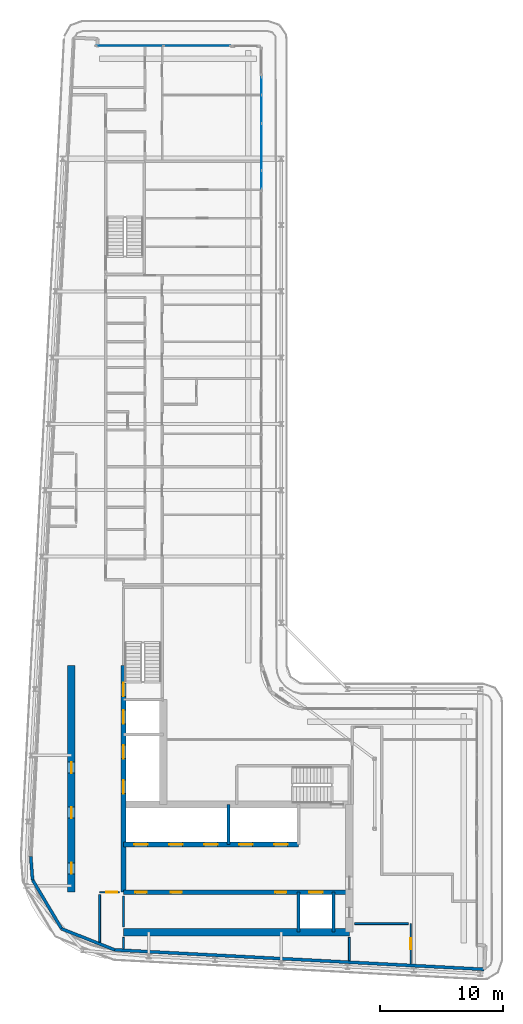
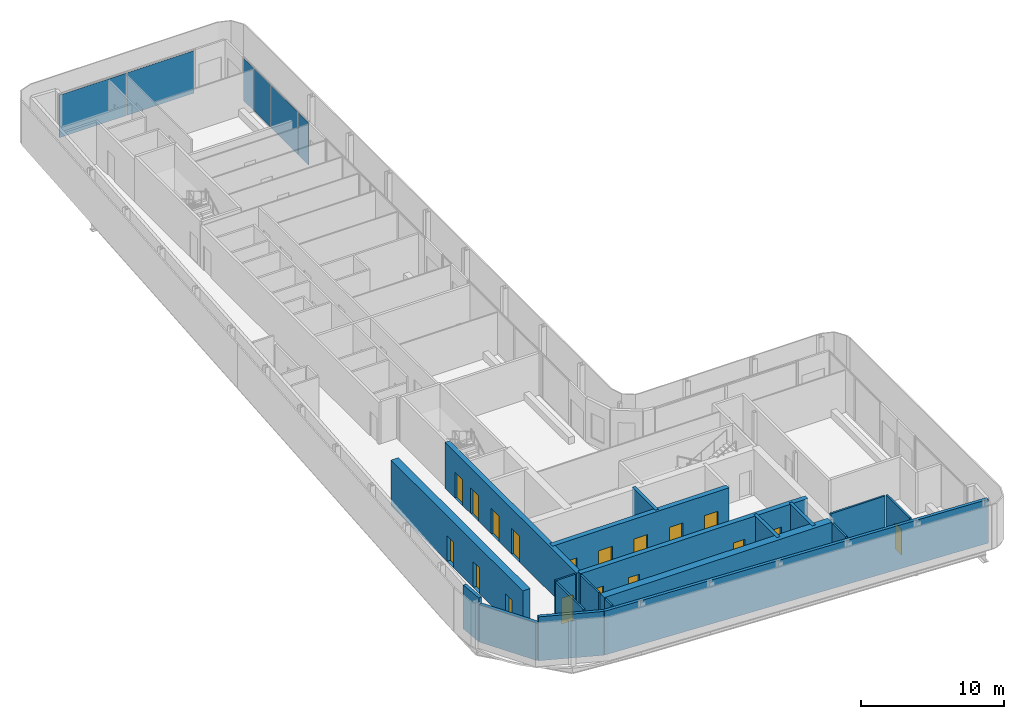
# One storey, part 11 of 21: 19 walls, 18 doors, 6 plates, 18 openings, 3 elements without a shape of their own.
"""IFC4 building model written with IfcOpenShell, lengths in metres."""

from ifc_helpers import new_model, si_unit, direction, frame, frame_2d, origin, origin_2d, place, context, subcontext, project, spatial, rectangle, extrude, source, transform, mapped, material, layer, layer_set, type_object, element, fill, aggregate, save


model = new_model("IFC4")

# Units and contexts
model_context = context("Model", 3, precision=1e-05, world=origin(), true_north=direction((0.0, 1.0)))
body_context = subcontext(model_context, "Body", "Model", "MODEL_VIEW")
ifc_project = project(units=[si_unit("LENGTHUNIT", "METRE"), si_unit("AREAUNIT", "SQUARE_METRE"), si_unit("VOLUMEUNIT", "CUBIC_METRE"), si_unit("PLANEANGLEUNIT", "RADIAN"), si_unit("MASSUNIT", "GRAM", prefix="KILO")], contexts=[model_context])

# Site, building, storey
site_placement = place(None, origin())
site = spatial("IfcSite", under=ifc_project, at=site_placement, CompositionType="ELEMENT")
building_placement = place(site_placement, origin())
building = spatial("IfcBuilding", under=site, at=building_placement, Name="Kheshtan School and Residences Tower", CompositionType="ELEMENT")
storey_placement = place(building_placement, frame((0.0, 0.0, 278.60009765625)))
storey = spatial("IfcBuildingStorey", under=building, at=storey_placement, Name="L65", CompositionType="ELEMENT", Elevation=278.60009765625)

# Curtain wall, plates
ifc_material_1 = material(Name="Clear low-e glass in thermally broken aluminium frame", Category="aluminium")
ifc_layer_1 = layer(ifc_material_1, 0.199951171875)
ifc_layer_set_1 = layer_set([ifc_layer_1], Name="Curtain wall CW-L")
curtain_wall_type = type_object("IfcCurtainWallType", Name="Curtain wall CW-L", PredefinedType="NOTDEFINED", material=ifc_layer_set_1)
curtain_wall_1_placement = place(storey_placement, origin())
curtain_wall_1 = element("IfcCurtainWall", 1, at=curtain_wall_1_placement, inside=storey, type_object=curtain_wall_type, Name="Curtain wall CWL7", PredefinedType="NOTDEFINED")
ifc_layer_2 = layer(ifc_material_1, 0.031982421875)
ifc_layer_set_2 = layer_set([ifc_layer_2], Name="CW-L glass panel")
plate_type = type_object("IfcPlateType", Name="CW-L glass panel", PredefinedType="CURTAIN_PANEL", material=ifc_layer_set_2)
plate_1_placement = place(storey_placement, frame((35.259033203125, 98.0, 0.0), z_axis=(0.0, 0.0, 1.0), x_axis=(1.0, 0.0, 0.0)))
plate_1 = element("IfcPlate", 2, at=plate_1_placement, type_object=plate_type, Name="CWL7 panel 1.1", PredefinedType="CURTAIN_PANEL", context=body_context, shape_type="SweptSolid", body=[
    extrude(rectangle(XDim=5.4140625, YDim=0.031982421875, at=origin_2d()), origin(), (0.0, 0.0, 1.0), 3.6298828125),
])
plate_2_placement = place(storey_placement, frame((40.73291015625, 98.0, 0.0), z_axis=(0.0, 0.0, 1.0), x_axis=(1.0, 0.0, 0.0)))
plate_2 = element("IfcPlate", 3, at=plate_2_placement, type_object=plate_type, Name="CWL7 panel 2.1", PredefinedType="CURTAIN_PANEL", context=body_context, shape_type="SweptSolid", body=[
    extrude(rectangle(XDim=5.4140625, YDim=0.031982421875, at=origin_2d()), origin(), (0.0, 0.0, 1.0), 3.6298828125),
])
aggregate(curtain_wall_1, [plate_1, plate_2])

curtain_wall_2_placement = place(storey_placement, origin())
curtain_wall_2 = element("IfcCurtainWall", 4, at=curtain_wall_2_placement, inside=storey, type_object=curtain_wall_type, Name="Curtain wall CWL8c", PredefinedType="NOTDEFINED")
plate_3_placement = place(storey_placement, frame((46.0, 94.735107421875, 0.0), z_axis=(0.0, 0.0, 1.0), x_axis=(0.0, -1.0, 0.0)))
plate_3 = element("IfcPlate", 5, at=plate_3_placement, type_object=plate_type, Name="CWL8c panel 1.1", PredefinedType="CURTAIN_PANEL", context=body_context, shape_type="SweptSolid", body=[
    extrude(rectangle(XDim=1.409912109375, YDim=0.031982421875, at=origin_2d()), origin(), (0.0, 0.0, 1.0), 3.6298828125),
])
plate_4_placement = place(storey_placement, frame((46.0, 92.826416015625, 0.0), z_axis=(0.0, 0.0, 1.0), x_axis=(0.0, -1.0, 0.0)))
plate_4 = element("IfcPlate", 6, at=plate_4_placement, type_object=plate_type, Name="CWL8c panel 2.1", PredefinedType="CURTAIN_PANEL", context=body_context, shape_type="SweptSolid", body=[
    extrude(rectangle(XDim=2.287109375, YDim=0.031982421875, at=origin_2d()), origin(), (0.0, 0.0, 1.0), 3.6298828125),
])
plate_5_placement = place(storey_placement, frame((46.0, 89.744384765625, 0.0), z_axis=(0.0, 0.0, 1.0), x_axis=(0.0, -1.0, 0.0)))
plate_5 = element("IfcPlate", 7, at=plate_5_placement, type_object=plate_type, Name="CWL8c panel 3.1", PredefinedType="CURTAIN_PANEL", context=body_context, shape_type="SweptSolid", body=[
    extrude(rectangle(XDim=3.757080078125, YDim=0.031982421875, at=origin_2d()), origin(), (0.0, 0.0, 1.0), 3.6298828125),
])
aggregate(curtain_wall_2, [plate_3, plate_4, plate_5])

# Curtain wall, plate
curtain_wall_3_placement = place(storey_placement, origin())
curtain_wall_3 = element("IfcCurtainWall", 8, at=curtain_wall_3_placement, inside=storey, type_object=curtain_wall_type, Name="Curtain wall CWL8a", PredefinedType="NOTDEFINED")
plate_6_placement = place(storey_placement, frame((46.0, 87.0859375, 0.0), z_axis=(0.0, 0.0, 1.0), x_axis=(0.0, -1.0, 0.0)))
plate_6 = element("IfcPlate", 9, at=plate_6_placement, type_object=plate_type, Name="CWL8a panel 1.1", PredefinedType="CURTAIN_PANEL", context=body_context, shape_type="SweptSolid", body=[
    extrude(rectangle(XDim=1.43994140625, YDim=0.031982421875, at=origin_2d()), origin(), (0.0, 0.0, 1.0), 3.6298828125),
])
aggregate(curtain_wall_3, [plate_6])

# Wall, openings, doors
ifc_material_2 = material(Name="Concrete C50/60", Category="concrete")
ifc_layer_3 = layer(ifc_material_2, 0.39990234375)
ifc_layer_set_3 = layer_set([ifc_layer_3], Name="Core wall 400 Concrete C50/60")
wall_type_1 = type_object("IfcWallType", Name="Core wall 400 Concrete C50/60", PredefinedType="SHEAR", material=ifc_layer_set_3)
wall_1_placement = place(storey_placement, frame((34.75, 29.050048828125, 0.0), z_axis=(0.0, 0.0, 1.0), x_axis=(1.0, 0.0, 0.0)))
wall_1 = element("IfcWall", 10, at=wall_1_placement, inside=storey, type_object=wall_type_1, Name="Core wall CW-HALL-S1", PredefinedType="SHEAR", context=body_context, shape_type="SweptSolid", body=[
    extrude(rectangle(XDim=18.39990234375, YDim=0.39990234375, at=frame_2d((9.199951171875, 0.0))), origin(), (0.0, 0.0, 1.0), 3.89990234375),
])
opening_1_placement = place(wall_1_placement, frame((15.125, 0.0, 0.0)))
opening_1 = element("IfcOpeningElement", 11, at=opening_1_placement, cuts=wall_1, Name="Opening LD", PredefinedType="OPENING", context=body_context, shape_type="SweptSolid", body=[
    extrude(rectangle(XDim=1.10009765625, YDim=2.199951171875, at=frame_2d((0.550048828125, 1.10009765625))), frame((0.0, 0.2099609375, 0.0), z_axis=(0.0, -1.0, 0.0), x_axis=(1.0, 0.0, 0.0)), (0.0, 0.0, 1.0), 0.419921875),
])
opening_2_placement = place(wall_1_placement, frame((0.97509765625, 0.0, 0.0)))
opening_2 = element("IfcOpeningElement", 12, at=opening_2_placement, cuts=wall_1, Name="Opening SR90", PredefinedType="OPENING", context=body_context, shape_type="SweptSolid", body=[
    extrude(rectangle(XDim=0.89990234375, YDim=2.199951171875, at=frame_2d((0.449951171875, 1.10009765625))), frame((0.0, 0.2099609375, 0.0), z_axis=(0.0, -1.0, 0.0), x_axis=(1.0, 0.0, 0.0)), (0.0, 0.0, 1.0), 0.419921875),
])
opening_3_placement = place(wall_1_placement, frame((3.860107421875, 0.0, 0.0)))
opening_3 = element("IfcOpeningElement", 13, at=opening_3_placement, cuts=wall_1, Name="Opening SR90", PredefinedType="OPENING", context=body_context, shape_type="SweptSolid", body=[
    extrude(rectangle(XDim=0.89990234375, YDim=2.199951171875, at=frame_2d((0.449951171875, 1.10009765625))), frame((0.0, 0.2099609375, 0.0), z_axis=(0.0, -1.0, 0.0), x_axis=(1.0, 0.0, 0.0)), (0.0, 0.0, 1.0), 0.419921875),
])
opening_4_placement = place(wall_1_placement, frame((12.375, 0.0, 0.0)))
opening_4 = element("IfcOpeningElement", 14, at=opening_4_placement, cuts=wall_1, Name="Opening SR90", PredefinedType="OPENING", context=body_context, shape_type="SweptSolid", body=[
    extrude(rectangle(XDim=0.89990234375, YDim=2.199951171875, at=frame_2d((0.449951171875, 1.10009765625))), frame((0.0, 0.2099609375, 0.0), z_axis=(0.0, -1.0, 0.0), x_axis=(1.0, 0.0, 0.0)), (0.0, 0.0, 1.0), 0.419921875),
])
ifc_material_3 = material(Name="Stainless steel door leaves", Category="steel")
door_type_1 = type_object("IfcDoorType", Name="Lift landing door 1100", OperationType="SLIDING_TO_LEFT", PredefinedType="DOOR", material=ifc_material_3)
shared_shape_1 = source(origin(), body_context, "Body", "SweptSolid", [
    extrude(rectangle(XDim=1.10009765625, YDim=2.199951171875, at=frame_2d((0.550048828125, 1.10009765625))), frame((0.0, 0.02490234375, 0.0), z_axis=(0.0, -1.0, 0.0), x_axis=(1.0, 0.0, 0.0)), (0.0, 0.0, 1.0), 0.050048828125),
])
door_1_placement = place(opening_1_placement, origin())
door_1 = element("IfcDoor", 15, at=door_1_placement, inside=storey, type_object=door_type_1, Name="Lift FFL2 landing door", OperationType="SLIDING_TO_LEFT", OverallHeight=2.199951171875, OverallWidth=1.10009765625, PredefinedType="DOOR", context=body_context, shape_type="MappedRepresentation", body=[
    mapped(shared_shape_1, transform((0.0, 0.0, 0.0), x_axis=(1.0, 0.0, 0.0), y_axis=(0.0, 1.0, 0.0), z_axis=(0.0, 0.0, 1.0), scale=1.0)),
])
fill(opening_1, door_1)
ifc_material_4 = material(Name="Steel door leaf, galvanised", Category="steel")
door_type_2 = type_object("IfcDoorType", Name="Service room door 900 steel 90 min", OperationType="SINGLE_SWING_LEFT", PredefinedType="DOOR", material=ifc_material_4)
shared_shape_2 = source(origin(), body_context, "Body", "SweptSolid", [
    extrude(rectangle(XDim=0.89990234375, YDim=2.199951171875, at=frame_2d((0.449951171875, 1.10009765625))), frame((0.0, 0.02490234375, 0.0), z_axis=(0.0, -1.0, 0.0), x_axis=(1.0, 0.0, 0.0)), (0.0, 0.0, 1.0), 0.050048828125),
])
door_2_placement = place(opening_2_placement, origin())
door_2 = element("IfcDoor", 16, at=door_2_placement, inside=storey, type_object=door_type_2, Name="Service room door", OperationType="SINGLE_SWING_LEFT", OverallHeight=2.199951171875, OverallWidth=0.89990234375, PredefinedType="DOOR", context=body_context, shape_type="MappedRepresentation", body=[
    mapped(shared_shape_2, transform((0.0, 0.0, 0.0), x_axis=(1.0, 0.0, 0.0), y_axis=(0.0, 1.0, 0.0), z_axis=(0.0, 0.0, 1.0), scale=1.0)),
])
fill(opening_2, door_2)
door_3_placement = place(opening_3_placement, origin())
door_3 = element("IfcDoor", 17, at=door_3_placement, inside=storey, type_object=door_type_2, Name="Service room door", OperationType="SINGLE_SWING_RIGHT", OverallHeight=2.199951171875, OverallWidth=0.89990234375, PredefinedType="DOOR", context=body_context, shape_type="MappedRepresentation", body=[
    mapped(shared_shape_2, transform((0.0, 0.0, 0.0), x_axis=(1.0, 0.0, 0.0), y_axis=(0.0, 1.0, 0.0), z_axis=(0.0, 0.0, 1.0), scale=1.0)),
])
fill(opening_3, door_3)
door_4_placement = place(opening_4_placement, origin())
door_4 = element("IfcDoor", 18, at=door_4_placement, inside=storey, type_object=door_type_2, Name="Service room door", OperationType="SINGLE_SWING_LEFT", OverallHeight=2.199951171875, OverallWidth=0.89990234375, PredefinedType="DOOR", context=body_context, shape_type="MappedRepresentation", body=[
    mapped(shared_shape_2, transform((0.0, 0.0, 0.0), x_axis=(1.0, 0.0, 0.0), y_axis=(0.0, 1.0, 0.0), z_axis=(0.0, 0.0, 1.0), scale=1.0)),
])
fill(opening_4, door_4)

wall_2_placement = place(storey_placement, frame((34.75, 32.949951171875, 0.0), z_axis=(0.0, 0.0, 1.0), x_axis=(1.0, 0.0, 0.0)))
wall_2 = element("IfcWall", 19, at=wall_2_placement, inside=storey, type_object=wall_type_1, Name="Core wall CW-HALL-S2", PredefinedType="SHEAR", context=body_context, shape_type="SweptSolid", body=[
    extrude(rectangle(XDim=14.25, YDim=0.39990234375, at=frame_2d((7.125, 0.0))), origin(), (0.0, 0.0, 1.0), 3.89990234375),
])
opening_5_placement = place(wall_2_placement, frame((0.875, 0.0, 0.0)))
opening_5 = element("IfcOpeningElement", 20, at=opening_5_placement, cuts=wall_2, Name="Opening LD", PredefinedType="OPENING", context=body_context, shape_type="SweptSolid", body=[
    extrude(rectangle(XDim=1.10009765625, YDim=2.199951171875, at=frame_2d((0.550048828125, 1.10009765625))), frame((0.0, 0.2099609375, 0.0), z_axis=(0.0, -1.0, 0.0), x_axis=(1.0, 0.0, 0.0)), (0.0, 0.0, 1.0), 0.419921875),
])
opening_6_placement = place(wall_2_placement, frame((3.72509765625, 0.0, 0.0)))
opening_6 = element("IfcOpeningElement", 21, at=opening_6_placement, cuts=wall_2, Name="Opening LD", PredefinedType="OPENING", context=body_context, shape_type="SweptSolid", body=[
    extrude(rectangle(XDim=1.10009765625, YDim=2.199951171875, at=frame_2d((0.550048828125, 1.10009765625))), frame((0.0, 0.2099609375, 0.0), z_axis=(0.0, -1.0, 0.0), x_axis=(1.0, 0.0, 0.0)), (0.0, 0.0, 1.0), 0.419921875),
])
opening_7_placement = place(wall_2_placement, frame((6.574951171875, 0.0, 0.0)))
opening_7 = element("IfcOpeningElement", 22, at=opening_7_placement, cuts=wall_2, Name="Opening LD", PredefinedType="OPENING", context=body_context, shape_type="SweptSolid", body=[
    extrude(rectangle(XDim=1.10009765625, YDim=2.199951171875, at=frame_2d((0.550048828125, 1.10009765625))), frame((0.0, 0.2099609375, 0.0), z_axis=(0.0, -1.0, 0.0), x_axis=(1.0, 0.0, 0.0)), (0.0, 0.0, 1.0), 0.419921875),
])
opening_8_placement = place(wall_2_placement, frame((9.425048828125, 0.0, 0.0)))
opening_8 = element("IfcOpeningElement", 23, at=opening_8_placement, cuts=wall_2, Name="Opening LD", PredefinedType="OPENING", context=body_context, shape_type="SweptSolid", body=[
    extrude(rectangle(XDim=1.10009765625, YDim=2.199951171875, at=frame_2d((0.550048828125, 1.10009765625))), frame((0.0, 0.2099609375, 0.0), z_axis=(0.0, -1.0, 0.0), x_axis=(1.0, 0.0, 0.0)), (0.0, 0.0, 1.0), 0.419921875),
])
opening_9_placement = place(wall_2_placement, frame((12.27490234375, 0.0, 0.0)))
opening_9 = element("IfcOpeningElement", 24, at=opening_9_placement, cuts=wall_2, Name="Opening LD", PredefinedType="OPENING", context=body_context, shape_type="SweptSolid", body=[
    extrude(rectangle(XDim=1.10009765625, YDim=2.199951171875, at=frame_2d((0.550048828125, 1.10009765625))), frame((0.0, 0.2099609375, 0.0), z_axis=(0.0, -1.0, 0.0), x_axis=(1.0, 0.0, 0.0)), (0.0, 0.0, 1.0), 0.419921875),
])
door_5_placement = place(opening_5_placement, origin())
door_5 = element("IfcDoor", 25, at=door_5_placement, inside=storey, type_object=door_type_1, Name="Lift P12 landing door", OperationType="SLIDING_TO_LEFT", OverallHeight=2.199951171875, OverallWidth=1.10009765625, PredefinedType="DOOR", context=body_context, shape_type="MappedRepresentation", body=[
    mapped(shared_shape_1, transform((0.0, 0.0, 0.0), x_axis=(1.0, 0.0, 0.0), y_axis=(0.0, 1.0, 0.0), z_axis=(0.0, 0.0, 1.0), scale=1.0)),
])
fill(opening_5, door_5)
door_6_placement = place(opening_6_placement, origin())
door_6 = element("IfcDoor", 26, at=door_6_placement, inside=storey, type_object=door_type_1, Name="Lift P13 landing door", OperationType="SLIDING_TO_LEFT", OverallHeight=2.199951171875, OverallWidth=1.10009765625, PredefinedType="DOOR", context=body_context, shape_type="MappedRepresentation", body=[
    mapped(shared_shape_1, transform((0.0, 0.0, 0.0), x_axis=(1.0, 0.0, 0.0), y_axis=(0.0, 1.0, 0.0), z_axis=(0.0, 0.0, 1.0), scale=1.0)),
])
fill(opening_6, door_6)
door_7_placement = place(opening_7_placement, origin())
door_7 = element("IfcDoor", 27, at=door_7_placement, inside=storey, type_object=door_type_1, Name="Lift P14 landing door", OperationType="SLIDING_TO_LEFT", OverallHeight=2.199951171875, OverallWidth=1.10009765625, PredefinedType="DOOR", context=body_context, shape_type="MappedRepresentation", body=[
    mapped(shared_shape_1, transform((0.0, 0.0, 0.0), x_axis=(1.0, 0.0, 0.0), y_axis=(0.0, 1.0, 0.0), z_axis=(0.0, 0.0, 1.0), scale=1.0)),
])
fill(opening_7, door_7)
door_8_placement = place(opening_8_placement, origin())
door_8 = element("IfcDoor", 28, at=door_8_placement, inside=storey, type_object=door_type_1, Name="Lift P15 landing door", OperationType="SLIDING_TO_LEFT", OverallHeight=2.199951171875, OverallWidth=1.10009765625, PredefinedType="DOOR", context=body_context, shape_type="MappedRepresentation", body=[
    mapped(shared_shape_1, transform((0.0, 0.0, 0.0), x_axis=(1.0, 0.0, 0.0), y_axis=(0.0, 1.0, 0.0), z_axis=(0.0, 0.0, 1.0), scale=1.0)),
])
fill(opening_8, door_8)
door_9_placement = place(opening_9_placement, origin())
door_9 = element("IfcDoor", 29, at=door_9_placement, inside=storey, type_object=door_type_1, Name="Lift P16 landing door", OperationType="SLIDING_TO_LEFT", OverallHeight=2.199951171875, OverallWidth=1.10009765625, PredefinedType="DOOR", context=body_context, shape_type="MappedRepresentation", body=[
    mapped(shared_shape_1, transform((0.0, 0.0, 0.0), x_axis=(1.0, 0.0, 0.0), y_axis=(0.0, 1.0, 0.0), z_axis=(0.0, 0.0, 1.0), scale=1.0)),
])
fill(opening_9, door_9)

wall_3_placement = place(storey_placement, frame((34.75, 29.050048828125, 0.0), z_axis=(0.0, 0.0, 1.0), x_axis=(0.0, 1.0, 0.0)))
wall_3 = element("IfcWall", 30, at=wall_3_placement, inside=storey, type_object=wall_type_1, Name="Core wall CW-HALL-W1", PredefinedType="SHEAR", context=body_context, shape_type="SweptSolid", body=[
    extrude(rectangle(XDim=18.449951171875, YDim=0.39990234375, at=frame_2d((9.22509765625, 0.0))), origin(), (0.0, 0.0, 1.0), 3.89990234375),
])
opening_10_placement = place(wall_3_placement, frame((8.02490234375, 0.0, 0.0)))
opening_10 = element("IfcOpeningElement", 31, at=opening_10_placement, cuts=wall_3, Name="Opening LD", PredefinedType="OPENING", context=body_context, shape_type="SweptSolid", body=[
    extrude(rectangle(XDim=1.10009765625, YDim=2.199951171875, at=frame_2d((0.550048828125, 1.10009765625))), frame((0.0, 0.2099609375, 0.0), z_axis=(0.0, -1.0, 0.0), x_axis=(1.0, 0.0, 0.0)), (0.0, 0.0, 1.0), 0.419921875),
])
opening_11_placement = place(wall_3_placement, frame((10.875, 0.0, 0.0)))
opening_11 = element("IfcOpeningElement", 32, at=opening_11_placement, cuts=wall_3, Name="Opening LD", PredefinedType="OPENING", context=body_context, shape_type="SweptSolid", body=[
    extrude(rectangle(XDim=1.10009765625, YDim=2.199951171875, at=frame_2d((0.550048828125, 1.10009765625))), frame((0.0, 0.2099609375, 0.0), z_axis=(0.0, -1.0, 0.0), x_axis=(1.0, 0.0, 0.0)), (0.0, 0.0, 1.0), 0.419921875),
])
opening_12_placement = place(wall_3_placement, frame((13.72509765625, 0.0, 0.0)))
opening_12 = element("IfcOpeningElement", 33, at=opening_12_placement, cuts=wall_3, Name="Opening LD", PredefinedType="OPENING", context=body_context, shape_type="SweptSolid", body=[
    extrude(rectangle(XDim=1.10009765625, YDim=2.199951171875, at=frame_2d((0.550048828125, 1.10009765625))), frame((0.0, 0.2099609375, 0.0), z_axis=(0.0, -1.0, 0.0), x_axis=(1.0, 0.0, 0.0)), (0.0, 0.0, 1.0), 0.419921875),
])
opening_13_placement = place(wall_3_placement, frame((15.949951171875, 0.0, 0.0)))
opening_13 = element("IfcOpeningElement", 34, at=opening_13_placement, cuts=wall_3, Name="Opening ST2D", PredefinedType="OPENING", context=body_context, shape_type="SweptSolid", body=[
    extrude(rectangle(XDim=1.10009765625, YDim=2.199951171875, at=frame_2d((0.550048828125, 1.10009765625))), frame((0.0, 0.2099609375, 0.0), z_axis=(0.0, -1.0, 0.0), x_axis=(1.0, 0.0, 0.0)), (0.0, 0.0, 1.0), 0.419921875),
])
door_10_placement = place(opening_10_placement, origin())
door_10 = element("IfcDoor", 35, at=door_10_placement, inside=storey, type_object=door_type_1, Name="Lift SV1 landing door", OperationType="SLIDING_TO_LEFT", OverallHeight=2.199951171875, OverallWidth=1.10009765625, PredefinedType="DOOR", context=body_context, shape_type="MappedRepresentation", body=[
    mapped(shared_shape_1, transform((0.0, 0.0, 0.0), x_axis=(1.0, 0.0, 0.0), y_axis=(0.0, 1.0, 0.0), z_axis=(0.0, 0.0, 1.0), scale=1.0)),
])
fill(opening_10, door_10)
door_11_placement = place(opening_11_placement, origin())
door_11 = element("IfcDoor", 36, at=door_11_placement, inside=storey, type_object=door_type_1, Name="Lift SV2 landing door", OperationType="SLIDING_TO_LEFT", OverallHeight=2.199951171875, OverallWidth=1.10009765625, PredefinedType="DOOR", context=body_context, shape_type="MappedRepresentation", body=[
    mapped(shared_shape_1, transform((0.0, 0.0, 0.0), x_axis=(1.0, 0.0, 0.0), y_axis=(0.0, 1.0, 0.0), z_axis=(0.0, 0.0, 1.0), scale=1.0)),
])
fill(opening_11, door_11)
door_12_placement = place(opening_12_placement, origin())
door_12 = element("IfcDoor", 37, at=door_12_placement, inside=storey, type_object=door_type_1, Name="Lift FFL1 landing door", OperationType="SLIDING_TO_LEFT", OverallHeight=2.199951171875, OverallWidth=1.10009765625, PredefinedType="DOOR", context=body_context, shape_type="MappedRepresentation", body=[
    mapped(shared_shape_1, transform((0.0, 0.0, 0.0), x_axis=(1.0, 0.0, 0.0), y_axis=(0.0, 1.0, 0.0), z_axis=(0.0, 0.0, 1.0), scale=1.0)),
])
fill(opening_12, door_12)
door_type_3 = type_object("IfcDoorType", Name="Stair door 1100 steel 90 min", OperationType="SINGLE_SWING_LEFT", PredefinedType="DOOR", material=ifc_material_4)
shared_shape_3 = source(origin(), body_context, "Body", "SweptSolid", [
    extrude(rectangle(XDim=1.10009765625, YDim=2.199951171875, at=frame_2d((0.550048828125, 1.10009765625))), frame((0.0, 0.02490234375, 0.0), z_axis=(0.0, -1.0, 0.0), x_axis=(1.0, 0.0, 0.0)), (0.0, 0.0, 1.0), 0.050048828125),
])
door_13_placement = place(opening_13_placement, origin())
door_13 = element("IfcDoor", 38, at=door_13_placement, inside=storey, type_object=door_type_3, Name="Stair ST2 door", OperationType="SINGLE_SWING_RIGHT", OverallHeight=2.199951171875, OverallWidth=1.10009765625, PredefinedType="DOOR", context=body_context, shape_type="MappedRepresentation", body=[
    mapped(shared_shape_3, transform((0.0, 0.0, 0.0), x_axis=(1.0, 0.0, 0.0), y_axis=(0.0, 1.0, 0.0), z_axis=(0.0, 0.0, 1.0), scale=1.0)),
])
fill(opening_13, door_13)

# Wall
ifc_material_5 = material(Name="Concrete C60/75", Category="concrete")
ifc_layer_4 = layer(ifc_material_5, 0.60009765625)
ifc_layer_set_4 = layer_set([ifc_layer_4], Name="Core wall 600 Concrete C60/75")
wall_type_2 = type_object("IfcWallType", Name="Core wall 600 Concrete C60/75", PredefinedType="SHEAR", material=ifc_layer_set_4)
wall_4_placement = place(storey_placement, frame((34.75, 25.800048828125, 0.0), z_axis=(0.0, 0.0, 1.0), x_axis=(1.0, 0.0, 0.0)))
element("IfcWall", 39, at=wall_4_placement, inside=storey, type_object=wall_type_2, Name="Core wall CW-REAR-S", PredefinedType="SHEAR", context=body_context, shape_type="SweptSolid", body=[
    extrude(rectangle(XDim=18.39990234375, YDim=0.60009765625, at=frame_2d((9.199951171875, 0.0))), origin(), (0.0, 0.0, 1.0), 3.89990234375),
])

# Wall, openings, doors
wall_5_placement = place(storey_placement, frame((30.5, 29.050048828125, 0.0), z_axis=(0.0, 0.0, 1.0), x_axis=(0.0, 1.0, 0.0)))
wall_5 = element("IfcWall", 40, at=wall_5_placement, inside=storey, type_object=wall_type_2, Name="Core wall CW-REAR-W", PredefinedType="SHEAR", context=body_context, shape_type="SweptSolid", body=[
    extrude(rectangle(XDim=18.449951171875, YDim=0.60009765625, at=frame_2d((9.22509765625, 0.0))), origin(), (0.0, 0.0, 1.0), 3.89990234375),
])
opening_14_placement = place(wall_5_placement, frame((1.5, 0.0, 0.0)))
opening_14 = element("IfcOpeningElement", 41, at=opening_14_placement, cuts=wall_5, Name="Opening SR90", PredefinedType="OPENING", context=body_context, shape_type="SweptSolid", body=[
    extrude(rectangle(XDim=0.89990234375, YDim=2.199951171875, at=frame_2d((0.449951171875, 1.10009765625))), frame((0.0, 0.31005859375, 0.0), z_axis=(0.0, -1.0, 0.0), x_axis=(1.0, 0.0, 0.0)), (0.0, 0.0, 1.0), 0.6201171875),
])
opening_15_placement = place(wall_5_placement, frame((6.030029296875, 0.0, 0.0)))
opening_15 = element("IfcOpeningElement", 42, at=opening_15_placement, cuts=wall_5, Name="Opening SR90", PredefinedType="OPENING", context=body_context, shape_type="SweptSolid", body=[
    extrude(rectangle(XDim=0.89990234375, YDim=2.199951171875, at=frame_2d((0.449951171875, 1.10009765625))), frame((0.0, 0.31005859375, 0.0), z_axis=(0.0, -1.0, 0.0), x_axis=(1.0, 0.0, 0.0)), (0.0, 0.0, 1.0), 0.6201171875),
])
opening_16_placement = place(wall_5_placement, frame((9.699951171875, 0.0, 0.0)))
opening_16 = element("IfcOpeningElement", 43, at=opening_16_placement, cuts=wall_5, Name="Opening SR90", PredefinedType="OPENING", context=body_context, shape_type="SweptSolid", body=[
    extrude(rectangle(XDim=0.89990234375, YDim=2.199951171875, at=frame_2d((0.449951171875, 1.10009765625))), frame((0.0, 0.31005859375, 0.0), z_axis=(0.0, -1.0, 0.0), x_axis=(1.0, 0.0, 0.0)), (0.0, 0.0, 1.0), 0.6201171875),
])
door_14_placement = place(opening_14_placement, origin())
door_14 = element("IfcDoor", 44, at=door_14_placement, inside=storey, type_object=door_type_2, Name="Service room door", OperationType="SINGLE_SWING_LEFT", OverallHeight=2.199951171875, OverallWidth=0.89990234375, PredefinedType="DOOR", context=body_context, shape_type="MappedRepresentation", body=[
    mapped(shared_shape_2, transform((0.0, 0.0, 0.0), x_axis=(1.0, 0.0, 0.0), y_axis=(0.0, 1.0, 0.0), z_axis=(0.0, 0.0, 1.0), scale=1.0)),
])
fill(opening_14, door_14)
door_15_placement = place(opening_15_placement, origin())
door_15 = element("IfcDoor", 45, at=door_15_placement, inside=storey, type_object=door_type_2, Name="Service room door", OperationType="SINGLE_SWING_RIGHT", OverallHeight=2.199951171875, OverallWidth=0.89990234375, PredefinedType="DOOR", context=body_context, shape_type="MappedRepresentation", body=[
    mapped(shared_shape_2, transform((0.0, 0.0, 0.0), x_axis=(1.0, 0.0, 0.0), y_axis=(0.0, 1.0, 0.0), z_axis=(0.0, 0.0, 1.0), scale=1.0)),
])
fill(opening_15, door_15)
door_16_placement = place(opening_16_placement, origin())
door_16 = element("IfcDoor", 46, at=door_16_placement, inside=storey, type_object=door_type_2, Name="Service room door", OperationType="SINGLE_SWING_LEFT", OverallHeight=2.199951171875, OverallWidth=0.89990234375, PredefinedType="DOOR", context=body_context, shape_type="MappedRepresentation", body=[
    mapped(shared_shape_2, transform((0.0, 0.0, 0.0), x_axis=(1.0, 0.0, 0.0), y_axis=(0.0, 1.0, 0.0), z_axis=(0.0, 0.0, 1.0), scale=1.0)),
])
fill(opening_16, door_16)

# Walls
ifc_material_6 = material(Name="Concrete C40/50 with ceramic cladding and mineral wool insulation", Category="concrete")
ifc_layer_5 = layer(ifc_material_6, 0.25)
ifc_layer_set_5 = layer_set([ifc_layer_5], Name="External wall 250 ceramic clad")
wall_type_3 = type_object("IfcWallType", Name="External wall 250 ceramic clad", PredefinedType="SOLIDWALL", material=ifc_layer_set_5)
wall_6_placement = place(storey_placement, frame((34.0390625, 24.35302734375, 0.0), z_axis=(0.0, 0.0, 1.0), x_axis=(-0.929352825399, 0.369192803184, 0.0)))
element("IfcWall", 47, at=wall_6_placement, inside=storey, type_object=wall_type_3, Name="External wall L65 1", PredefinedType="SOLIDWALL", context=body_context, shape_type="SweptSolid", body=[
    extrude(rectangle(XDim=4.656005859375, YDim=0.25, at=frame_2d((2.328125, 0.0))), origin(), (0.0, 0.0, 1.0), 3.75),
])
wall_7_placement = place(storey_placement, frame((29.7119140625, 26.072021484375, 0.0), z_axis=(0.0, 0.0, 1.0), x_axis=(-0.511028049012, 0.859564036662, 0.0)))
element("IfcWall", 48, at=wall_7_placement, inside=storey, type_object=wall_type_3, Name="External wall L65 2", PredefinedType="SOLIDWALL", context=body_context, shape_type="SweptSolid", body=[
    extrude(rectangle(XDim=4.633544921875, YDim=0.25, at=frame_2d((2.31689453125, 0.0))), origin(), (0.0, 0.0, 1.0), 3.216796875),
])
wall_8_placement = place(storey_placement, frame((27.343994140625, 30.054931640625, 0.0), z_axis=(0.0, 0.0, 1.0), x_axis=(-0.077571675317, 0.99698677784, 0.0)))
element("IfcWall", 49, at=wall_8_placement, inside=storey, type_object=wall_type_3, Name="External wall L65 3", PredefinedType="SOLIDWALL", context=body_context, shape_type="SweptSolid", body=[
    extrude(rectangle(XDim=1.919921875, YDim=0.25, at=frame_2d((0.9599609375, 0.0))), origin(), (0.0, 0.0, 1.0), 3.75),
])
wall_9_placement = place(storey_placement, frame((64.135986328125, 22.76904296875, 0.0), z_axis=(0.0, 0.0, 1.0), x_axis=(-0.998617941217, 0.052556707274, 0.0)))
element("IfcWall", 50, at=wall_9_placement, inside=storey, type_object=wall_type_3, Name="External wall L65 16", PredefinedType="SOLIDWALL", context=body_context, shape_type="SweptSolid", body=[
    extrude(rectangle(XDim=30.138671875, YDim=0.25, at=frame_2d((15.0693359375, 0.0))), origin(), (0.0, 0.0, 1.0), 3.75),
])
ifc_material_7 = material(Name="Fire-board shaft wall system")
ifc_layer_6 = layer(ifc_material_7, 0.14990234375)
ifc_layer_set_6 = layer_set([ifc_layer_6], Name="Service room wall 150")
wall_type_4 = type_object("IfcWallType", Name="Service room wall 150", PredefinedType="PARTITIONING", material=ifc_layer_set_6)
wall_10_placement = place(storey_placement, frame((34.75, 24.444091796875, 0.0), z_axis=(0.0, 0.0, 1.0), x_axis=(0.0, 1.0, 0.0)))
element("IfcWall", 51, at=wall_10_placement, inside=storey, type_object=wall_type_4, Name="Service room wall", PredefinedType="PARTITIONING", context=body_context, shape_type="SweptSolid", body=[
    extrude(rectangle(XDim=0.935791015625, YDim=0.14990234375, at=frame_2d((0.4677734375, 0.0))), origin(), (0.0, 0.0, 1.0), 3.89990234375),
])
wall_11_placement = place(storey_placement, frame((34.75, 26.219970703125, 0.0), z_axis=(0.0, 0.0, 1.0), x_axis=(0.0, 1.0, 0.0)))
element("IfcWall", 52, at=wall_11_placement, inside=storey, type_object=wall_type_4, Name="Service room wall", PredefinedType="PARTITIONING", context=body_context, shape_type="SweptSolid", body=[
    extrude(rectangle(XDim=2.510009765625, YDim=0.14990234375, at=frame_2d((1.2548828125, 0.0))), origin(), (0.0, 0.0, 1.0), 3.89990234375),
])

# Wall, opening, door
wall_12_placement = place(storey_placement, frame((32.804931640625, 29.050048828125, 0.0), z_axis=(0.0, 0.0, 1.0), x_axis=(1.0, 0.0, 0.0)))
wall_12 = element("IfcWall", 53, at=wall_12_placement, inside=storey, type_object=wall_type_4, Name="Service room wall", PredefinedType="PARTITIONING", context=body_context, shape_type="SweptSolid", body=[
    extrude(rectangle(XDim=1.625, YDim=0.14990234375, at=frame_2d((0.8125, 0.0))), origin(), (0.0, 0.0, 1.0), 3.89990234375),
])
opening_17_placement = place(wall_12_placement, frame((0.52294921875, 0.0, 0.0)))
opening_17 = element("IfcOpeningElement", 54, at=opening_17_placement, cuts=wall_12, Name="Opening SR90", PredefinedType="OPENING", context=body_context, shape_type="SweptSolid", body=[
    extrude(rectangle(XDim=0.89990234375, YDim=2.199951171875, at=frame_2d((0.449951171875, 1.10009765625))), frame((0.0, 0.0849609375, 0.0), z_axis=(0.0, -1.0, 0.0), x_axis=(1.0, 0.0, 0.0)), (0.0, 0.0, 1.0), 0.169921875),
])
door_17_placement = place(opening_17_placement, origin())
door_17 = element("IfcDoor", 55, at=door_17_placement, inside=storey, type_object=door_type_2, Name="Service room door", OperationType="SINGLE_SWING_LEFT", OverallHeight=2.199951171875, OverallWidth=0.89990234375, PredefinedType="DOOR", context=body_context, shape_type="MappedRepresentation", body=[
    mapped(shared_shape_2, transform((0.0, 0.0, 0.0), x_axis=(1.0, 0.0, 0.0), y_axis=(0.0, 1.0, 0.0), z_axis=(0.0, 0.0, 1.0), scale=1.0)),
])
fill(opening_17, door_17)

# Wall
wall_13_placement = place(storey_placement, frame((32.804931640625, 24.97998046875, 0.0), z_axis=(0.0, 0.0, 1.0), x_axis=(0.0, 1.0, 0.0)))
element("IfcWall", 56, at=wall_13_placement, inside=storey, type_object=wall_type_4, Name="Service room wall", PredefinedType="PARTITIONING", context=body_context, shape_type="SweptSolid", body=[
    extrude(rectangle(XDim=3.875, YDim=0.14990234375, at=frame_2d((1.9375, 0.0))), origin(), (0.0, 0.0, 1.0), 3.89990234375),
])

# Wall, opening, door
wall_14_placement = place(storey_placement, frame((58.14990234375, 23.2119140625, 0.0), z_axis=(0.0, 0.0, 1.0), x_axis=(0.0, 1.0, 0.0)))
wall_14 = element("IfcWall", 57, at=wall_14_placement, inside=storey, type_object=wall_type_4, Name="Service room wall", PredefinedType="PARTITIONING", context=body_context, shape_type="SweptSolid", body=[
    extrude(rectangle(XDim=3.281982421875, YDim=0.14990234375, at=frame_2d((1.64111328125, 0.0))), origin(), (0.0, 0.0, 1.0), 3.89990234375),
])
opening_18_placement = place(wall_14_placement, frame((1.205078125, 0.0, 0.0)))
opening_18 = element("IfcOpeningElement", 58, at=opening_18_placement, cuts=wall_14, Name="Opening SR90", PredefinedType="OPENING", context=body_context, shape_type="SweptSolid", body=[
    extrude(rectangle(XDim=0.89990234375, YDim=2.199951171875, at=frame_2d((0.449951171875, 1.10009765625))), frame((0.0, 0.0849609375, 0.0), z_axis=(0.0, -1.0, 0.0), x_axis=(1.0, 0.0, 0.0)), (0.0, 0.0, 1.0), 0.169921875),
])
door_18_placement = place(opening_18_placement, origin())
door_18 = element("IfcDoor", 59, at=door_18_placement, inside=storey, type_object=door_type_2, Name="Service room door", OperationType="SINGLE_SWING_LEFT", OverallHeight=2.199951171875, OverallWidth=0.89990234375, PredefinedType="DOOR", context=body_context, shape_type="MappedRepresentation", body=[
    mapped(shared_shape_2, transform((0.0, 0.0, 0.0), x_axis=(1.0, 0.0, 0.0), y_axis=(0.0, 1.0, 0.0), z_axis=(0.0, 0.0, 1.0), scale=1.0)),
])
fill(opening_18, door_18)

# Walls
wall_15_placement = place(storey_placement, frame((53.570068359375, 26.493896484375, 0.0), z_axis=(0.0, 0.0, 1.0), x_axis=(1.0, 0.0, 0.0)))
element("IfcWall", 60, at=wall_15_placement, inside=storey, type_object=wall_type_4, Name="Service room wall", PredefinedType="PARTITIONING", context=body_context, shape_type="SweptSolid", body=[
    extrude(rectangle(XDim=4.385009765625, YDim=0.14990234375, at=frame_2d((2.1923828125, 0.0))), origin(), (0.0, 0.0, 1.0), 3.89990234375),
])
wall_16_placement = place(storey_placement, frame((53.14990234375, 23.47509765625, 0.0), z_axis=(0.0, 0.0, 1.0), x_axis=(0.0, 1.0, 0.0)))
element("IfcWall", 61, at=wall_16_placement, inside=storey, type_object=wall_type_4, Name="Service room wall", PredefinedType="PARTITIONING", context=body_context, shape_type="SweptSolid", body=[
    extrude(rectangle(XDim=1.90478515625, YDim=0.14990234375, at=frame_2d((0.952392578125, 0.0))), origin(), (0.0, 0.0, 1.0), 3.89990234375),
])
ifc_layer_7 = layer(ifc_material_7, 0.25)
ifc_layer_set_7 = layer_set([ifc_layer_7], Name="Shaft lining wall 250")
wall_type_5 = type_object("IfcWallType", Name="Shaft lining wall 250", PredefinedType="PARTITIONING", material=ifc_layer_set_7)
for number, where, z_axis, x_axis, name in (
    (62, (43.300048828125, 32.949951171875, 0.0), (0.0, 0.0, 1.0), (0.0, 1.0, 0.0), "Shaft lining wall"),
    (63, (49.0, 25.800048828125, 0.0), (0.0, 0.0, 1.0), (0.0, 1.0, 0.0), "Shaft lining wall"),
    (64, (51.85009765625, 25.800048828125, 0.0), (0.0, 0.0, 1.0), (0.0, 1.0, 0.0), "Shaft lining wall"),
):
    element("IfcWall", number, at=place(storey_placement, frame(where, z_axis=z_axis, x_axis=x_axis)), inside=storey, type_object=wall_type_5, Name=name, PredefinedType="PARTITIONING", context=body_context, shape_type="SweptSolid", body=[
        extrude(rectangle(XDim=3.25, YDim=0.25, at=frame_2d((1.625, 0.0))), origin(), (0.0, 0.0, 1.0), 3.89990234375),
    ])

save(model, "model.ifc")
